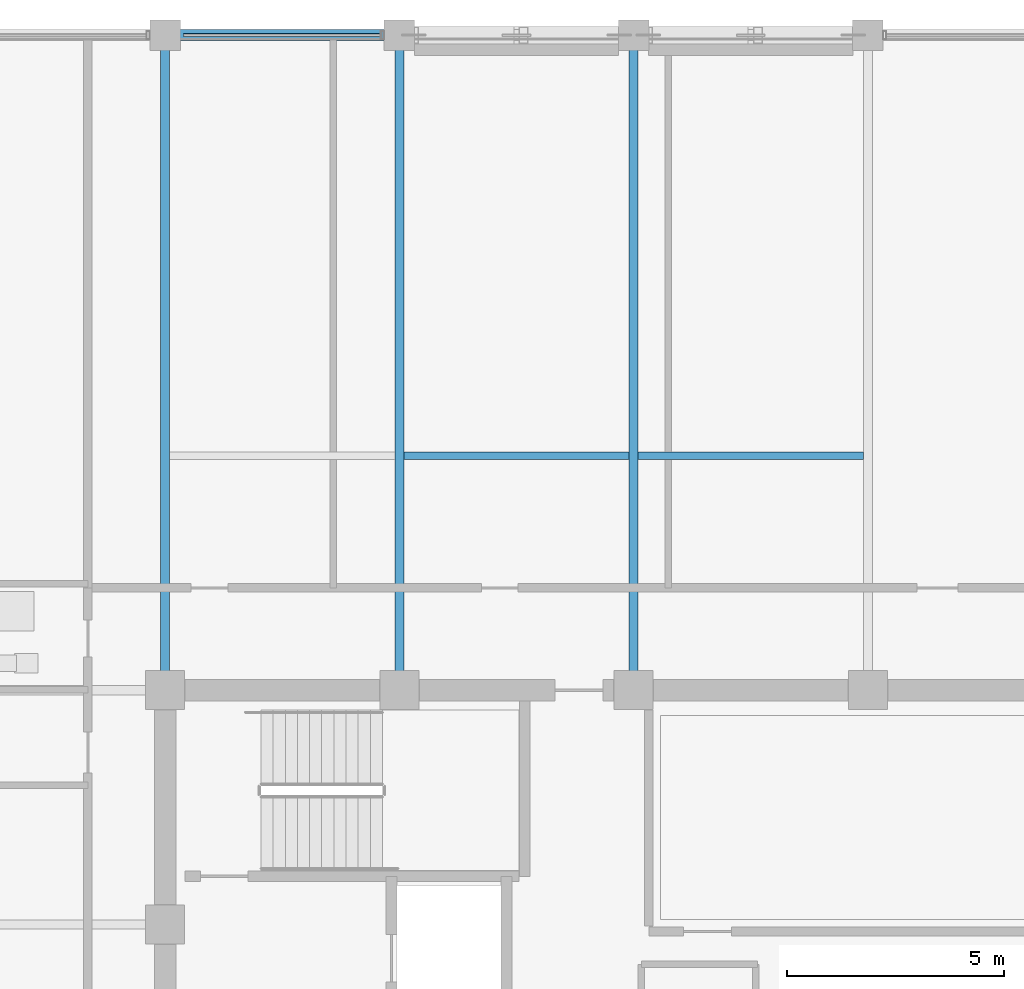
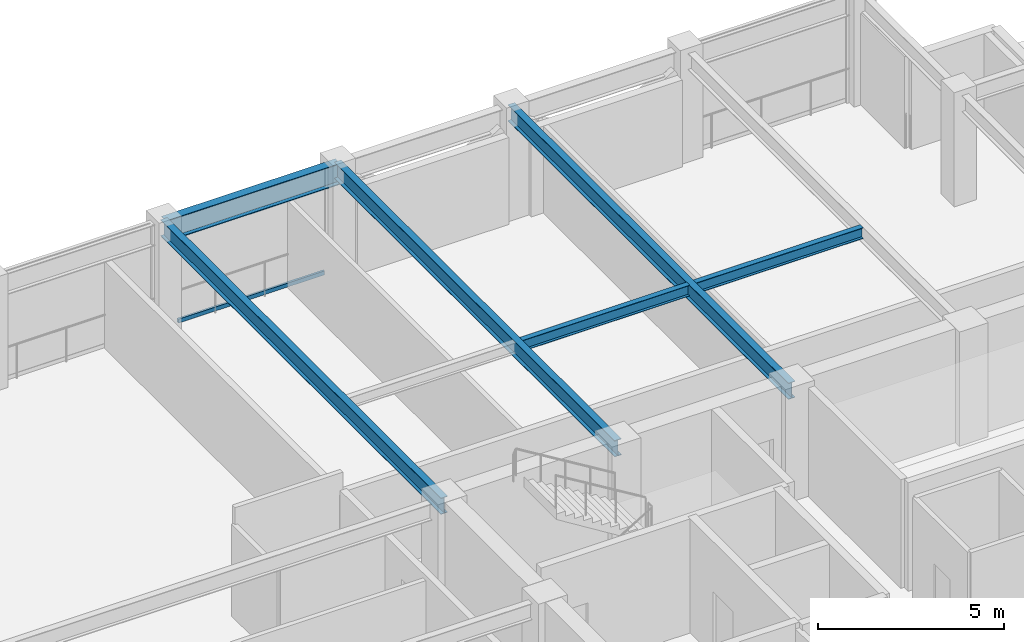
# One storey, part 18 of 34: 6 beams, 1 member, 1 element without a shape of its own.
"""IFC4 building model written with IfcOpenShell, lengths in metres."""

from ifc_helpers import new_model, si_unit, direction, frame, origin, origin_2d, place, context, subcontext, project, spatial, hollow_rectangle, i_section, extrude, material, layer, layer_set, material_profile, profile_set, type_object, element, aggregate, save


model = new_model("IFC4")

# Units and contexts
model_context = context("Model", 3, precision=1e-05, world=origin(), true_north=direction((0.0, 1.0)))
body_context = subcontext(model_context, "Body", "Model", "MODEL_VIEW")
ifc_project = project(units=[si_unit("LENGTHUNIT", "METRE"), si_unit("AREAUNIT", "SQUARE_METRE"), si_unit("VOLUMEUNIT", "CUBIC_METRE"), si_unit("PLANEANGLEUNIT", "RADIAN"), si_unit("MASSUNIT", "GRAM", prefix="KILO")], contexts=[model_context])

# Site, building, storey
site_placement = place(None, origin())
site = spatial("IfcSite", under=ifc_project, at=site_placement, CompositionType="ELEMENT")
building_placement = place(site_placement, origin())
building = spatial("IfcBuilding", under=site, at=building_placement, Name="Surkhivell Harbour Commons", CompositionType="ELEMENT")
storey_placement = place(building_placement, frame((0.0, 0.0, 258.75)))
storey = spatial("IfcBuildingStorey", under=building, at=storey_placement, Name="L67", CompositionType="ELEMENT", Elevation=258.75)

# Beams
ifc_material_1 = material(Name="Steel S355", Category="steel")
ifc_material_profile_1 = material_profile(ifc_material_1, i_section(OverallWidth=0.2099609375, OverallDepth=0.537109375, WebThickness=0.0107421875, FlangeThickness=0.017333984375, at=origin_2d()), Name="UB533x210x101")
ifc_profile_set_1 = profile_set([ifc_material_profile_1], Name="Steel S355")
beam_type_1 = type_object("IfcBeamType", Name="BM-GRD-533B", PredefinedType="BEAM", material=ifc_profile_set_1)
for number, where, z_axis, x_axis, name in (
    (1, (-10.800048828125, 10.800048828125, 3.301513671875), (0.0, 1.0, 0.0), (-1.0, 0.0, 0.0), "L67 Floor Girder (-10.8,10.8)"),
    (2, (-5.39990234375, 10.800048828125, 3.301513671875), (0.0, 1.0, 0.0), (-1.0, 0.0, 0.0), "L67 Floor Girder (-5.4,10.8)"),
    (3, (0.0, 10.800048828125, 3.301513671875), (0.0, 1.0, 0.0), (-1.0, 0.0, 0.0), "L67 Floor Girder (0.0,10.8)"),
):
    element("IfcBeam", number, at=place(storey_placement, frame(where, z_axis=z_axis, x_axis=x_axis)), inside=storey, type_object=beam_type_1, Name=name, PredefinedType="BEAM", context=body_context, shape_type="SweptSolid", body=[
        extrude(i_section(OverallWidth=0.2099609375, OverallDepth=0.537109375, WebThickness=0.0107421875, FlangeThickness=0.017333984375, at=origin_2d()), origin(), (0.0, 0.0, 1.0), 15.099853515625),
    ])
ifc_material_profile_2 = material_profile(ifc_material_1, i_section(OverallWidth=0.172119140625, OverallDepth=0.35791015625, WebThickness=0.008056640625, FlangeThickness=0.012939453125, at=origin_2d()), Name="UB356x171x57")
ifc_profile_set_2 = profile_set([ifc_material_profile_2], Name="Steel S355")
beam_type_2 = type_object("IfcBeamType", Name="BM-JST-356", PredefinedType="JOIST", material=ifc_profile_set_2)
for number, where, z_axis, x_axis, name in (
    (4, (-5.297119140625, 16.199951171875, 3.39111328125), (1.0, 0.0, 0.0), (0.0, 1.0, 0.0), "L67 North Composite Joist (-5.4)"),
    (5, (0.10302734375, 16.199951171875, 3.39111328125), (1.0, 0.0, 0.0), (0.0, 1.0, 0.0), "L67 North Composite Joist (0.0)"),
):
    element("IfcBeam", number, at=place(storey_placement, frame(where, z_axis=z_axis, x_axis=x_axis)), inside=storey, type_object=beam_type_2, Name=name, PredefinedType="JOIST", context=body_context, shape_type="SweptSolid", body=[
        extrude(i_section(OverallWidth=0.172119140625, OverallDepth=0.35791015625, WebThickness=0.008056640625, FlangeThickness=0.012939453125, at=origin_2d()), origin(), (0.0, 0.0, 1.0), 5.194091796875),
    ])
ifc_material_profile_3 = material_profile(ifc_material_1, i_section(OverallWidth=0.256103515625, OverallDepth=0.693115234375, WebThickness=0.014404296875, FlangeThickness=0.023681640625, at=origin_2d()), Name="UB686x254x170")
ifc_profile_set_3 = profile_set([ifc_material_profile_3], Name="Steel S355")
beam_type_3 = type_object("IfcBeamType", Name="BM-SPN-686", PredefinedType="SPANDREL", material=ifc_profile_set_3)
beam_placement = place(storey_placement, frame((-10.800048828125, 25.89990234375, 3.223388671875), z_axis=(1.0, 0.0, 0.0), x_axis=(0.0, 1.0, 0.0)))
element("IfcBeam", 6, at=beam_placement, inside=storey, type_object=beam_type_3, Name="L67 Tube Spandrel (-10.8,25.9)", PredefinedType="SPANDREL", context=body_context, shape_type="SweptSolid", body=[
    extrude(i_section(OverallWidth=0.256103515625, OverallDepth=0.693115234375, WebThickness=0.014404296875, FlangeThickness=0.023681640625, at=origin_2d()), origin(), (0.0, 0.0, 1.0), 5.400146484375),
])

# Curtain wall, member
ifc_material_2 = material(Name="Anodised pale-metal aluminium and insulated glazing", Category="aluminium")
ifc_layer = layer(ifc_material_2, 0.175048828125)
ifc_layer_set = layer_set([ifc_layer], Name="Anodised pale-metal aluminium and insulated glazing")
curtain_wall_type = type_object("IfcCurtainWallType", Name="CW-SYS-Z4", PredefinedType="NOTDEFINED", material=ifc_layer_set)
curtain_wall_placement = place(storey_placement, origin())
curtain_wall = element("IfcCurtainWall", 7, at=curtain_wall_placement, inside=storey, type_object=curtain_wall_type, Name="L67 Curtain Wall CW-L67-E07S2", PredefinedType="NOTDEFINED")
ifc_material_3 = material(Name="Champagne anodised aluminium alloy 6063-T6", Category="aluminium")
ifc_material_profile_4 = material_profile(ifc_material_3, hollow_rectangle(XDim=0.070068359375, YDim=0.1298828125, WallThickness=0.00341796875, at=origin_2d()), Name="ALU-TRAN-70x130")
ifc_profile_set_4 = profile_set([ifc_material_profile_4], Name="Champagne anodised aluminium alloy 6063-T6")
member_type = type_object("IfcMemberType", Name="CWT-130", PredefinedType="USERDEFINED", material=ifc_profile_set_4)
member_placement = place(storey_placement, frame((-5.826904296875, 25.89990234375, 0.06494140625), z_axis=(-1.0, 0.0, 0.0), x_axis=(0.0, -1.0, 0.0)))
member = element("IfcMember", 8, at=member_placement, type_object=member_type, Name="CW-Z4 transom 1.1", ObjectType="TRANSOM", PredefinedType="USERDEFINED", context=body_context, shape_type="SweptSolid", body=[
    extrude(hollow_rectangle(XDim=0.070068359375, YDim=0.1298828125, WallThickness=0.00341796875, at=origin_2d()), origin(), (0.0, 0.0, 1.0), 4.546142578125),
])
aggregate(curtain_wall, [member])

save(model, "model.ifc")
